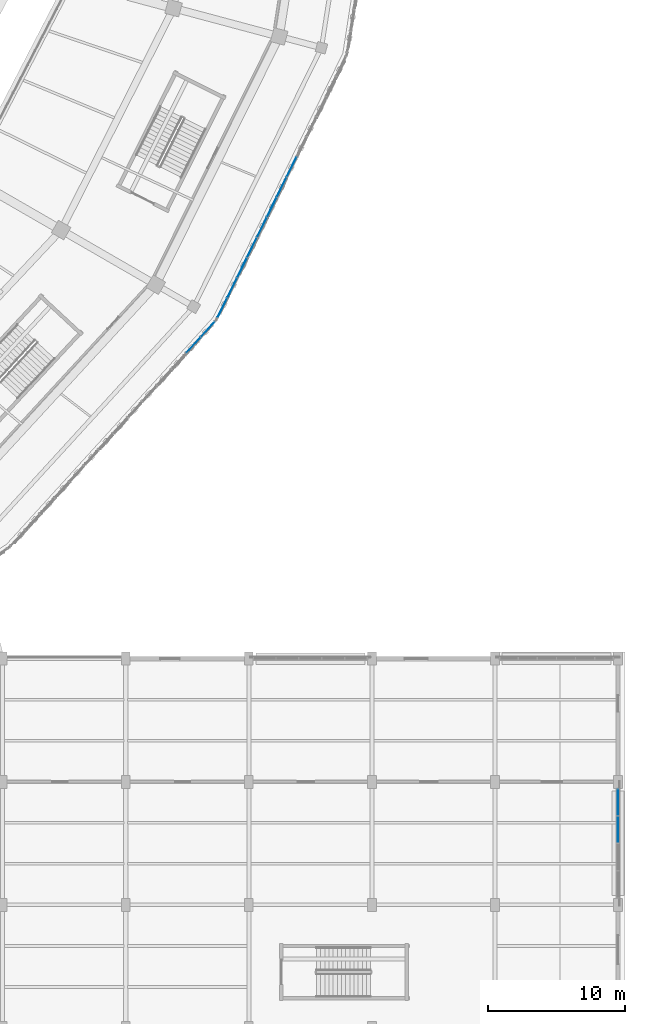
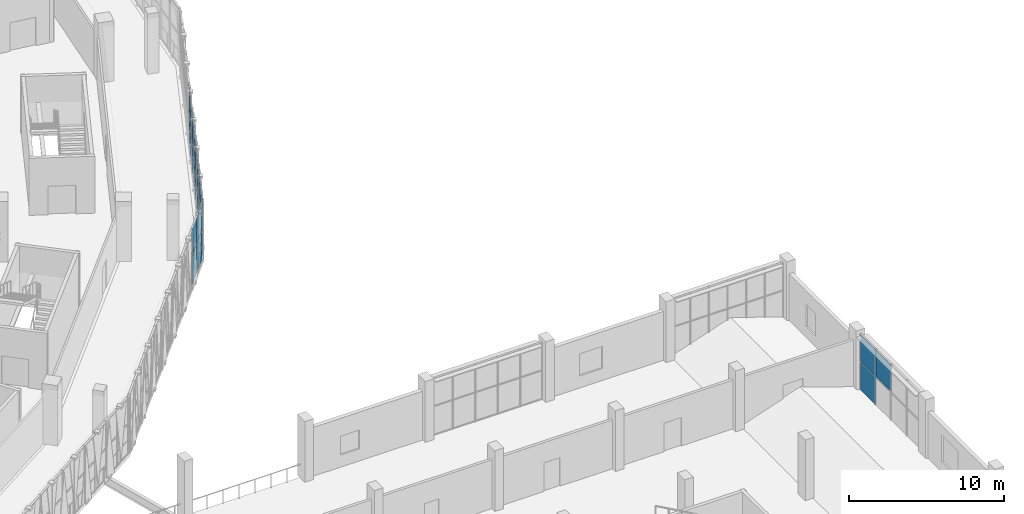
# One storey, part 86 of 179: 23 plates, 3 elements without a shape of their own.
"""IFC4 building model written with IfcOpenShell, lengths in metres."""

from ifc_helpers import new_model, si_unit, direction, frame, origin, origin_2d, place, context, subcontext, project, spatial, rectangle, extrude, material, layer, layer_set, type_object, element, aggregate, save


model = new_model("IFC4")

# Units and contexts
model_context = context("Model", 3, precision=1e-05, world=origin(), true_north=direction((0.0, 1.0)))
body_context = subcontext(model_context, "Body", "Model", "MODEL_VIEW")
ifc_project = project(units=[si_unit("LENGTHUNIT", "METRE"), si_unit("AREAUNIT", "SQUARE_METRE"), si_unit("VOLUMEUNIT", "CUBIC_METRE"), si_unit("PLANEANGLEUNIT", "RADIAN"), si_unit("MASSUNIT", "GRAM", prefix="KILO")], contexts=[model_context])

# Site, building, storey
site_placement = place(None, origin())
site = spatial("IfcSite", under=ifc_project, at=site_placement, CompositionType="ELEMENT")
building_placement = place(site_placement, origin())
building = spatial("IfcBuilding", under=site, at=building_placement, Name="Zevraka Park Crest Stadium", CompositionType="ELEMENT")
storey_placement = place(building_placement, frame((0.0, 0.0, 10.199951171875)))
storey = spatial("IfcBuildingStorey", under=building, at=storey_placement, Name="L02", CompositionType="ELEMENT", Elevation=10.199951171875)

# Curtain wall, plates
ifc_material_1 = material(Name="Anodised architectural aluminium and laminated safety glass", Category="aluminium")
curtain_wall_type_1 = type_object("IfcCurtainWallType", Name="CW07", PredefinedType="NOTDEFINED", material=ifc_material_1)
curtain_wall_1_placement = place(storey_placement, origin())
curtain_wall_1 = element("IfcCurtainWall", 1, at=curtain_wall_1_placement, inside=storey, type_object=curtain_wall_type_1, Name="Unitised Ring Curtain Wall CW07 L02-22", PredefinedType="NOTDEFINED")
ifc_material_2 = material(Name="Solar-control laminated double glazing", Category="glass")
ifc_layer_1 = layer(ifc_material_2, 0.028076171875)
ifc_layer_set_1 = layer_set([ifc_layer_1], Name="Solar-control laminated double glazing")
plate_type_1 = type_object("IfcPlateType", Name="CP07", PredefinedType="CURTAIN_PANEL", material=ifc_layer_set_1)
plate_1_placement = place(storey_placement, frame((195.063720703125, 52.66162109375, 0.06005859375), z_axis=(0.0, 0.0, 1.0), x_axis=(0.441021032455, 0.897496768201, 0.0)))
plate_1 = element("IfcPlate", 2, at=plate_1_placement, type_object=plate_type_1, Name="CW07 panel 1.1", PredefinedType="CURTAIN_PANEL", context=body_context, shape_type="SweptSolid", body=[
    extrude(rectangle(XDim=1.552490234375, YDim=0.028076171875, at=origin_2d()), origin(), (0.0, 0.0, 1.0), 2.31005859375),
])
plate_2_placement = place(storey_placement, frame((195.063720703125, 52.66162109375, 2.43017578125), z_axis=(0.0, 0.0, 1.0), x_axis=(0.441021032455, 0.897496768201, 0.0)))
plate_2 = element("IfcPlate", 3, at=plate_2_placement, type_object=plate_type_1, Name="CW07 panel 1.2", PredefinedType="CURTAIN_PANEL", context=body_context, shape_type="SweptSolid", body=[
    extrude(rectangle(XDim=1.552490234375, YDim=0.028076171875, at=origin_2d()), origin(), (0.0, 0.0, 1.0), 2.010009765625),
])
plate_3_placement = place(storey_placement, frame((195.781494140625, 54.122314453125, 0.06005859375), z_axis=(0.0, 0.0, 1.0), x_axis=(0.441021032455, 0.897496768201, 0.0)))
plate_3 = element("IfcPlate", 4, at=plate_3_placement, type_object=plate_type_1, Name="CW07 panel 2.1", PredefinedType="CURTAIN_PANEL", context=body_context, shape_type="SweptSolid", body=[
    extrude(rectangle(XDim=1.58251953125, YDim=0.028076171875, at=origin_2d()), origin(), (0.0, 0.0, 1.0), 2.31005859375),
])
plate_4_placement = place(storey_placement, frame((195.781494140625, 54.122314453125, 2.43017578125), z_axis=(0.0, 0.0, 1.0), x_axis=(0.441021032455, 0.897496768201, 0.0)))
plate_4 = element("IfcPlate", 5, at=plate_4_placement, type_object=plate_type_1, Name="CW07 panel 2.2", PredefinedType="CURTAIN_PANEL", context=body_context, shape_type="SweptSolid", body=[
    extrude(rectangle(XDim=1.58251953125, YDim=0.028076171875, at=origin_2d()), origin(), (0.0, 0.0, 1.0), 2.010009765625),
])
plate_5_placement = place(storey_placement, frame((196.505859375, 55.596435546875, 0.06005859375), z_axis=(0.0, 0.0, 1.0), x_axis=(0.441021032455, 0.897496768201, 0.0)))
plate_5 = element("IfcPlate", 6, at=plate_5_placement, type_object=plate_type_1, Name="CW07 panel 3.1", PredefinedType="CURTAIN_PANEL", context=body_context, shape_type="SweptSolid", body=[
    extrude(rectangle(XDim=1.58251953125, YDim=0.028076171875, at=origin_2d()), origin(), (0.0, 0.0, 1.0), 2.31005859375),
])
plate_6_placement = place(storey_placement, frame((196.505859375, 55.596435546875, 2.43017578125), z_axis=(0.0, 0.0, 1.0), x_axis=(0.441021032455, 0.897496768201, 0.0)))
plate_6 = element("IfcPlate", 7, at=plate_6_placement, type_object=plate_type_1, Name="CW07 panel 3.2", PredefinedType="CURTAIN_PANEL", context=body_context, shape_type="SweptSolid", body=[
    extrude(rectangle(XDim=1.58251953125, YDim=0.028076171875, at=origin_2d()), origin(), (0.0, 0.0, 1.0), 2.010009765625),
])
plate_7_placement = place(storey_placement, frame((197.230224609375, 57.070556640625, 0.06005859375), z_axis=(0.0, 0.0, 1.0), x_axis=(0.441021032455, 0.897496768201, 0.0)))
plate_7 = element("IfcPlate", 8, at=plate_7_placement, type_object=plate_type_1, Name="CW07 panel 4.1", PredefinedType="CURTAIN_PANEL", context=body_context, shape_type="SweptSolid", body=[
    extrude(rectangle(XDim=1.58251953125, YDim=0.028076171875, at=origin_2d()), origin(), (0.0, 0.0, 1.0), 2.31005859375),
])
plate_8_placement = place(storey_placement, frame((197.230224609375, 57.070556640625, 2.43017578125), z_axis=(0.0, 0.0, 1.0), x_axis=(0.441021032455, 0.897496768201, 0.0)))
plate_8 = element("IfcPlate", 9, at=plate_8_placement, type_object=plate_type_1, Name="CW07 panel 4.2", PredefinedType="CURTAIN_PANEL", context=body_context, shape_type="SweptSolid", body=[
    extrude(rectangle(XDim=1.58251953125, YDim=0.028076171875, at=origin_2d()), origin(), (0.0, 0.0, 1.0), 2.010009765625),
])
plate_9_placement = place(storey_placement, frame((197.954833984375, 58.544677734375, 0.06005859375), z_axis=(0.0, 0.0, 1.0), x_axis=(0.441021032455, 0.897496768201, 0.0)))
plate_9 = element("IfcPlate", 10, at=plate_9_placement, type_object=plate_type_1, Name="CW07 panel 5.1", PredefinedType="CURTAIN_PANEL", context=body_context, shape_type="SweptSolid", body=[
    extrude(rectangle(XDim=1.58251953125, YDim=0.028076171875, at=origin_2d()), origin(), (0.0, 0.0, 1.0), 2.31005859375),
])
plate_10_placement = place(storey_placement, frame((197.954833984375, 58.544677734375, 2.43017578125), z_axis=(0.0, 0.0, 1.0), x_axis=(0.441021032455, 0.897496768201, 0.0)))
plate_10 = element("IfcPlate", 11, at=plate_10_placement, type_object=plate_type_1, Name="CW07 panel 5.2", PredefinedType="CURTAIN_PANEL", context=body_context, shape_type="SweptSolid", body=[
    extrude(rectangle(XDim=1.58251953125, YDim=0.028076171875, at=origin_2d()), origin(), (0.0, 0.0, 1.0), 2.010009765625),
])
plate_11_placement = place(storey_placement, frame((198.67919921875, 60.018798828125, 0.06005859375), z_axis=(0.0, 0.0, 1.0), x_axis=(0.441021032455, 0.897496768201, 0.0)))
plate_11 = element("IfcPlate", 12, at=plate_11_placement, type_object=plate_type_1, Name="CW07 panel 6.1", PredefinedType="CURTAIN_PANEL", context=body_context, shape_type="SweptSolid", body=[
    extrude(rectangle(XDim=1.58251953125, YDim=0.028076171875, at=origin_2d()), origin(), (0.0, 0.0, 1.0), 2.31005859375),
])
plate_12_placement = place(storey_placement, frame((198.67919921875, 60.018798828125, 2.43017578125), z_axis=(0.0, 0.0, 1.0), x_axis=(0.441021032455, 0.897496768201, 0.0)))
plate_12 = element("IfcPlate", 13, at=plate_12_placement, type_object=plate_type_1, Name="CW07 panel 6.2", PredefinedType="CURTAIN_PANEL", context=body_context, shape_type="SweptSolid", body=[
    extrude(rectangle(XDim=1.58251953125, YDim=0.028076171875, at=origin_2d()), origin(), (0.0, 0.0, 1.0), 2.010009765625),
])
plate_13_placement = place(storey_placement, frame((199.403564453125, 61.492919921875, 0.06005859375), z_axis=(0.0, 0.0, 1.0), x_axis=(0.441021032455, 0.897496768201, 0.0)))
plate_13 = element("IfcPlate", 14, at=plate_13_placement, type_object=plate_type_1, Name="CW07 panel 7.1", PredefinedType="CURTAIN_PANEL", context=body_context, shape_type="SweptSolid", body=[
    extrude(rectangle(XDim=1.58251953125, YDim=0.028076171875, at=origin_2d()), origin(), (0.0, 0.0, 1.0), 2.31005859375),
])
plate_14_placement = place(storey_placement, frame((199.403564453125, 61.492919921875, 2.43017578125), z_axis=(0.0, 0.0, 1.0), x_axis=(0.441021032455, 0.897496768201, 0.0)))
plate_14 = element("IfcPlate", 15, at=plate_14_placement, type_object=plate_type_1, Name="CW07 panel 7.2", PredefinedType="CURTAIN_PANEL", context=body_context, shape_type="SweptSolid", body=[
    extrude(rectangle(XDim=1.58251953125, YDim=0.028076171875, at=origin_2d()), origin(), (0.0, 0.0, 1.0), 2.010009765625),
])
plate_15_placement = place(storey_placement, frame((200.1279296875, 62.967041015625, 0.06005859375), z_axis=(0.0, 0.0, 1.0), x_axis=(0.441021032455, 0.897496768201, 0.0)))
plate_15 = element("IfcPlate", 16, at=plate_15_placement, type_object=plate_type_1, Name="CW07 panel 8.1", PredefinedType="CURTAIN_PANEL", context=body_context, shape_type="SweptSolid", body=[
    extrude(rectangle(XDim=1.58251953125, YDim=0.028076171875, at=origin_2d()), origin(), (0.0, 0.0, 1.0), 2.31005859375),
])
plate_16_placement = place(storey_placement, frame((200.1279296875, 62.967041015625, 2.43017578125), z_axis=(0.0, 0.0, 1.0), x_axis=(0.441021032455, 0.897496768201, 0.0)))
plate_16 = element("IfcPlate", 17, at=plate_16_placement, type_object=plate_type_1, Name="CW07 panel 8.2", PredefinedType="CURTAIN_PANEL", context=body_context, shape_type="SweptSolid", body=[
    extrude(rectangle(XDim=1.58251953125, YDim=0.028076171875, at=origin_2d()), origin(), (0.0, 0.0, 1.0), 2.010009765625),
])
aggregate(curtain_wall_1, [plate_1, plate_2, plate_3, plate_4, plate_5, plate_6, plate_7, plate_8, plate_9, plate_10, plate_11, plate_12, plate_13, plate_14, plate_15, plate_16])

ifc_material_3 = material(Name="Anodised architectural aluminium and laminated safety glass", Category="aluminium")
curtain_wall_type_2 = type_object("IfcCurtainWallType", Name="CW08", PredefinedType="NOTDEFINED", material=ifc_material_3)
curtain_wall_2_placement = place(storey_placement, origin())
curtain_wall_2 = element("IfcCurtainWall", 18, at=curtain_wall_2_placement, inside=storey, type_object=curtain_wall_type_2, Name="Unitised Ring Curtain Wall CW08 L02-21", PredefinedType="NOTDEFINED")
ifc_material_4 = material(Name="Solar-control laminated double glazing", Category="glass")
ifc_layer_2 = layer(ifc_material_4, 0.028076171875)
ifc_layer_set_2 = layer_set([ifc_layer_2], Name="Solar-control laminated double glazing")
plate_type_2 = type_object("IfcPlateType", Name="CP08", PredefinedType="CURTAIN_PANEL", material=ifc_layer_set_2)
plate_17_placement = place(storey_placement, frame((192.946044921875, 49.935791015625, 0.06494140625), z_axis=(0.0, 0.0, 1.0), x_axis=(0.673159987494, 0.739496877097, 0.0)))
plate_17 = element("IfcPlate", 19, at=plate_17_placement, type_object=plate_type_2, Name="CW08 panel 13.1", PredefinedType="CURTAIN_PANEL", context=body_context, shape_type="SweptSolid", body=[
    extrude(rectangle(XDim=1.525390625, YDim=0.028076171875, at=origin_2d()), origin(), (0.0, 0.0, 1.0), 2.302490234375),
])
plate_18_placement = place(storey_placement, frame((192.946044921875, 49.935791015625, 2.4326171875), z_axis=(0.0, 0.0, 1.0), x_axis=(0.673159987494, 0.739496877097, 0.0)))
plate_18 = element("IfcPlate", 20, at=plate_18_placement, type_object=plate_type_2, Name="CW08 panel 13.2", PredefinedType="CURTAIN_PANEL", context=body_context, shape_type="SweptSolid", body=[
    extrude(rectangle(XDim=1.525390625, YDim=0.028076171875, at=origin_2d()), origin(), (0.0, 0.0, 1.0), 2.00244140625),
])
plate_19_placement = place(storey_placement, frame((194.005859375, 51.099853515625, 0.06494140625), z_axis=(0.0, 0.0, 1.0), x_axis=(0.673159987494, 0.739496877097, 0.0)))
plate_19 = element("IfcPlate", 21, at=plate_19_placement, type_object=plate_type_2, Name="CW08 panel 14.1", PredefinedType="CURTAIN_PANEL", context=body_context, shape_type="SweptSolid", body=[
    extrude(rectangle(XDim=1.492919921875, YDim=0.028076171875, at=origin_2d()), origin(), (0.0, 0.0, 1.0), 2.302490234375),
])
plate_20_placement = place(storey_placement, frame((194.005859375, 51.099853515625, 2.4326171875), z_axis=(0.0, 0.0, 1.0), x_axis=(0.673159987494, 0.739496877097, 0.0)))
plate_20 = element("IfcPlate", 22, at=plate_20_placement, type_object=plate_type_2, Name="CW08 panel 14.2", PredefinedType="CURTAIN_PANEL", context=body_context, shape_type="SweptSolid", body=[
    extrude(rectangle(XDim=1.492919921875, YDim=0.028076171875, at=origin_2d()), origin(), (0.0, 0.0, 1.0), 2.00244140625),
])
aggregate(curtain_wall_2, [plate_17, plate_18, plate_19, plate_20])

ifc_material_5 = material(Name="Anodised architectural aluminium and laminated safety glass", Category="aluminium")
curtain_wall_type_3 = type_object("IfcCurtainWallType", Name="CW29", PredefinedType="NOTDEFINED", material=ifc_material_5)
curtain_wall_3_placement = place(storey_placement, origin())
curtain_wall_3 = element("IfcCurtainWall", 23, at=curtain_wall_3_placement, inside=storey, type_object=curtain_wall_type_3, Name="Wing Curtain Wall CW29 L02-SE-E-2", PredefinedType="NOTDEFINED")
ifc_material_6 = material(Name="Solar-control laminated double glazing", Category="glass")
ifc_layer_3 = layer(ifc_material_6, 0.035888671875)
ifc_layer_set_3 = layer_set([ifc_layer_3], Name="Solar-control laminated double glazing")
plate_type_3 = type_object("IfcPlateType", Name="CP29", PredefinedType="CURTAIN_PANEL", material=ifc_layer_set_3)
plate_21_placement = place(storey_placement, frame((224.0, 16.510009765625, 0.06494140625), z_axis=(0.0, 0.0, 1.0), x_axis=(0.0, -1.0, 0.0)))
plate_21 = element("IfcPlate", 24, at=plate_21_placement, type_object=plate_type_3, Name="CW29 panel 1.1", PredefinedType="CURTAIN_PANEL", context=body_context, shape_type="SweptSolid", body=[
    extrude(rectangle(XDim=1.919921875, YDim=0.035888671875, at=origin_2d()), origin(), (0.0, 0.0, 1.0), 2.202392578125),
])
plate_22_placement = place(storey_placement, frame((224.0, 16.510009765625, 2.33251953125), z_axis=(0.0, 0.0, 1.0), x_axis=(0.0, -1.0, 0.0)))
plate_22 = element("IfcPlate", 25, at=plate_22_placement, type_object=plate_type_3, Name="CW29 panel 1.2", PredefinedType="CURTAIN_PANEL", context=body_context, shape_type="SweptSolid", body=[
    extrude(rectangle(XDim=1.919921875, YDim=0.035888671875, at=origin_2d()), origin(), (0.0, 0.0, 1.0), 2.1025390625),
])
plate_23_placement = place(storey_placement, frame((224.0, 14.5087890625, 2.33251953125), z_axis=(0.0, 0.0, 1.0), x_axis=(0.0, -1.0, 0.0)))
plate_23 = element("IfcPlate", 26, at=plate_23_placement, type_object=plate_type_3, Name="CW29 panel 2.2", PredefinedType="CURTAIN_PANEL", context=body_context, shape_type="SweptSolid", body=[
    extrude(rectangle(XDim=1.952392578125, YDim=0.035888671875, at=origin_2d()), origin(), (0.0, 0.0, 1.0), 2.1025390625),
])
aggregate(curtain_wall_3, [plate_21, plate_22, plate_23])

save(model, "model.ifc")
